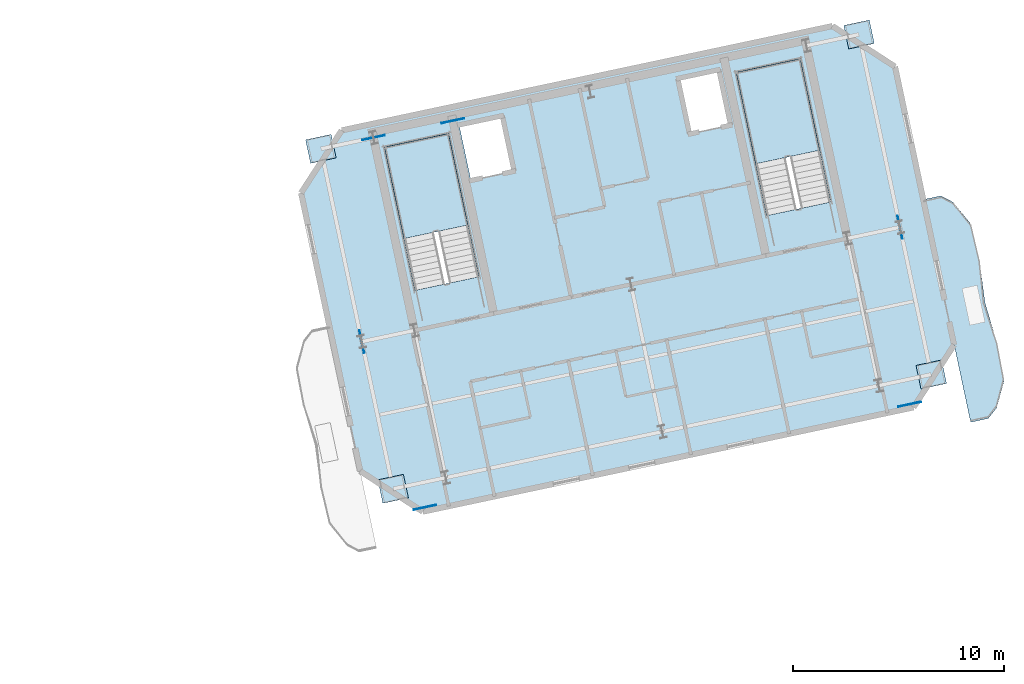
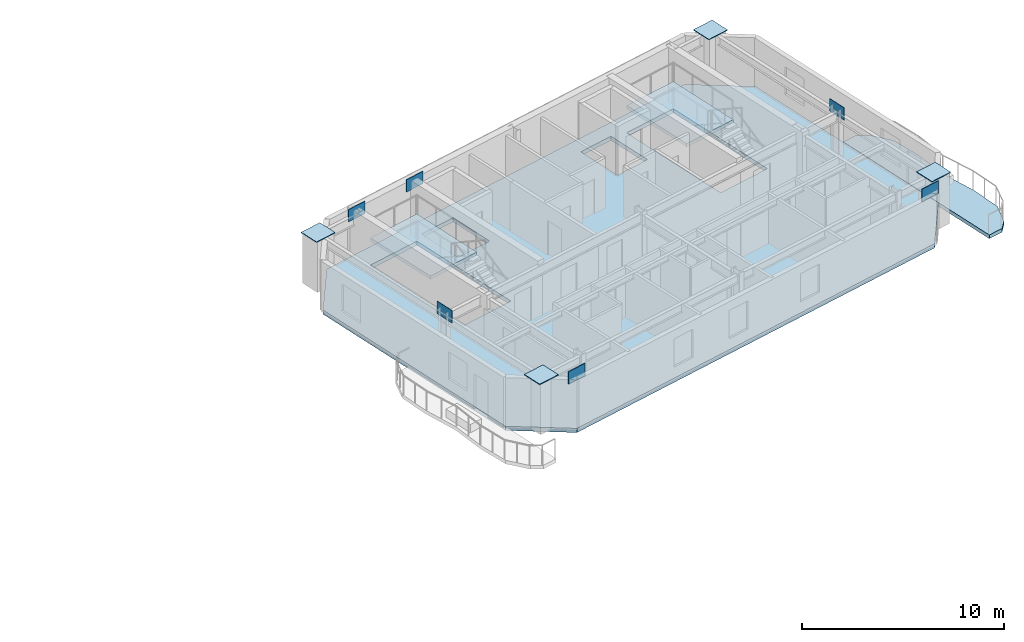
# One storey, part 5 of 14: 10 plates, 4 slabs, 2 elements without a shape of their own.
"""IFC4 building model written with IfcOpenShell, lengths in metres."""

from ifc_helpers import new_model, si_unit, direction, frame, origin, origin_2d, place, context, subcontext, project, spatial, polyline, rectangle, outline, extrude, material, layer, layer_set, type_object, element, aggregate, save


model = new_model("IFC4")

# Units and contexts
model_context = context("Model", 3, precision=1e-05, world=origin(), true_north=direction((0.0, 1.0)))
body_context = subcontext(model_context, "Body", "Model", "MODEL_VIEW")
ifc_project = project(units=[si_unit("LENGTHUNIT", "METRE"), si_unit("AREAUNIT", "SQUARE_METRE"), si_unit("VOLUMEUNIT", "CUBIC_METRE"), si_unit("PLANEANGLEUNIT", "RADIAN"), si_unit("MASSUNIT", "GRAM", prefix="KILO")], contexts=[model_context])

# Site, building, storey
site_placement = place(None, origin())
site = spatial("IfcSite", under=ifc_project, at=site_placement, CompositionType="ELEMENT")
building_placement = place(site_placement, origin())
building = spatial("IfcBuilding", under=site, at=building_placement, Name="Haevon Station Towers", CompositionType="ELEMENT")
storey_placement = place(building_placement, frame((0.0, 0.0, 231.89990234375)))
storey = spatial("IfcBuildingStorey", under=building, at=storey_placement, Name="L64", CompositionType="ELEMENT", Elevation=231.89990234375)

# Plates
ifc_material_1 = material(Name="PL-FLG1", Category="steel")
ifc_layer_1 = layer(ifc_material_1, 0.044921875)
ifc_layer_set_1 = layer_set([ifc_layer_1], Name="PL-FLG1")
plate_type_1 = type_object("IfcPlateType", Name="PL-FLG1", PredefinedType="USERDEFINED", material=ifc_layer_set_1)
for number, where, z_axis, x_axis, name in (
    (1, (97.74267578125, 29.92822265625, 3.050048828125), (0.0, 0.0, 1.0), (0.978147600734, 0.207911690818, 0.0), "PL-CAP-T2-L64-01-01"),
    (2, (94.314208984375, 46.057861328125, 3.050048828125), (0.0, 0.0, 1.0), (0.978147600734, 0.207911690818, 0.0), "PL-CAP-T2-L64-01-03"),
    (3, (123.272216796875, 35.354736328125, 3.050048828125), (0.0, 0.0, 1.0), (0.978147600734, 0.207911690818, 0.0), "PL-CAP-T2-L64-05-01"),
    (4, (119.84375, 51.484375, 3.050048828125), (0.0, 0.0, 1.0), (0.978147600734, 0.207911690818, 0.0), "PL-CAP-T2-L64-05-03"),
):
    element("IfcPlate", number, at=place(storey_placement, frame(where, z_axis=z_axis, x_axis=x_axis)), inside=storey, type_object=plate_type_1, Name=name, ObjectType="FLANGE_PLATE", PredefinedType="USERDEFINED", context=body_context, shape_type="SweptSolid", body=[
        extrude(rectangle(XDim=1.239990234375, YDim=1.139892578125, at=origin_2d()), origin(), (0.0, 0.0, 1.0), 0.0400390625),
    ])
ifc_material_2 = material(Name="PL-SPL1", Category="steel")
ifc_layer_2 = layer(ifc_material_2, 0.031982421875)
ifc_layer_set_2 = layer_set([ifc_layer_2], Name="PL-SPL1")
plate_type_2 = type_object("IfcPlateType", Name="PL-SPL1", PredefinedType="USERDEFINED", material=ifc_layer_set_2)
for number, where, z_axis, x_axis, name in (
    (5, (99.25732421875, 29.05419921875, 2.775146484375), (0.0, 0.0, 1.0), (0.978147600734, 0.207911690818, 0.0), "PL-T2SPL-T09-S-3"),
    (6, (122.243896484375, 33.93994140625, 2.775146484375), (0.0, 0.0, 1.0), (0.978147600734, 0.207911690818, 0.0), "PL-T2SPL-T09-S-4"),
    (7, (96.808349609375, 46.588134765625, 2.775146484375), (0.0, 0.0, 1.0), (0.978147600734, 0.207911690818, 0.0), "PL-T2SPL-T09-N-3"),
    (8, (100.57421875, 47.388671875, 2.775146484375), (0.0, 0.0, 1.0), (0.978147600734, 0.207911690818, 0.0), "PL-T2SPL-T09-N-4"),
    (9, (96.258056640625, 36.912353515625, 2.775146484375), (0.0, 0.0, 1.0), (-0.207911690818, 0.978147600734, 0.0), "PL-T2SPL-T09-W-4"),
    (10, (121.787841796875, 42.338623046875, 2.775146484375), (0.0, 0.0, 1.0), (-0.207911690818, 0.978147600734, 0.0), "PL-T2SPL-T09-E-4"),
):
    element("IfcPlate", number, at=place(storey_placement, frame(where, z_axis=z_axis, x_axis=x_axis)), inside=storey, type_object=plate_type_2, Name=name, ObjectType="SPLICE_PLATE", PredefinedType="USERDEFINED", context=body_context, shape_type="SweptSolid", body=[
        extrude(rectangle(XDim=1.10009765625, YDim=0.031982421875, at=origin_2d()), origin(), (0.0, 0.0, 1.0), 0.75),
    ])

# Slab
ifc_material_3 = material(Name="Concrete C40/50", Category="concrete")
ifc_layer_3 = layer(ifc_material_3, 0.219970703125)
ifc_layer_set_3 = layer_set([ifc_layer_3], Name="Concrete C40/50")
slab_type_1 = type_object("IfcSlabType", Name="SL-BALC220", PredefinedType="FLOOR", material=ifc_layer_set_3)
slab_1_placement = place(storey_placement, frame((0.0, 0.0, -0.219970703125)))
element("IfcSlab", 11, at=slab_1_placement, inside=storey, type_object=slab_type_1, Name="Tower 2 L64 East SCALLOPED BALCONY", PredefinedType="FLOOR", context=body_context, shape_type="SweptSolid", body=[
    extrude(outline(polyline([(125.13916015625, 33.08837890625), (125.970703125, 33.26513671875), (126.372314453125, 33.770751953125), (126.7216796875, 35.041748046875), (126.40966796875, 36.766357421875), (125.822509765625, 38.754150390625), (125.55029296875, 40.80908203125), (125.1337890625, 42.511474609375), (124.2978515625, 43.530517578125), (123.72509765625, 43.8291015625), (122.893798828125, 43.65234375), (125.13916015625, 33.08837890625)])), origin(), (0.0, 0.0, 1.0), 0.219970703125),
])

# Stair, slab
stair_type = type_object("IfcStairType", Name="STR-DL1450", PredefinedType="USERDEFINED", material=ifc_material_3)
stair_1_placement = place(storey_placement, origin())
stair_1 = element("IfcStair", 12, at=stair_1_placement, inside=storey, type_object=stair_type, Name="L64 Escape Stair ST3", ObjectType="TWO_RETURN_STAIR", PredefinedType="USERDEFINED")
ifc_layer_4 = layer(ifc_material_3, 0.199951171875)
ifc_layer_set_4 = layer_set([ifc_layer_4], Name="Concrete C40/50")
slab_type_2 = type_object("IfcSlabType", Name="SL-LND200", PredefinedType="LANDING", material=ifc_layer_set_4)
slab_2_placement = place(storey_placement, frame((0.0, 0.0, 1.4501953125)))
slab_2 = element("IfcSlab", 13, at=slab_2_placement, type_object=slab_type_2, Name="L64 ST3 Half Landing 1", PredefinedType="LANDING", context=body_context, shape_type="SweptSolid", body=[
    extrude(outline(polyline([(101.2880859375, 42.44287109375), (100.36572265625, 46.781982421875), (97.33349609375, 46.137451171875), (98.255859375, 41.79833984375), (101.2880859375, 42.44287109375)])), origin(), (0.0, 0.0, 1.0), 0.199951171875),
])
aggregate(stair_1, [slab_2])

stair_2_placement = place(storey_placement, origin())
stair_2 = element("IfcStair", 14, at=stair_2_placement, inside=storey, type_object=stair_type, Name="L64 Escape Stair ST4", ObjectType="TWO_RETURN_STAIR", PredefinedType="USERDEFINED")
slab_3_placement = place(storey_placement, frame((0.0, 0.0, 1.4501953125)))
slab_3 = element("IfcSlab", 15, at=slab_3_placement, type_object=slab_type_2, Name="L64 ST4 Half Landing 1", PredefinedType="LANDING", context=body_context, shape_type="SweptSolid", body=[
    extrude(outline(polyline([(117.975341796875, 45.989990234375), (117.052978515625, 50.328857421875), (114.020751953125, 49.684326171875), (114.943115234375, 45.345458984375), (117.975341796875, 45.989990234375)])), origin(), (0.0, 0.0, 1.0), 0.199951171875),
])
aggregate(stair_2, [slab_3])

# Slab
ifc_layer_5 = layer(ifc_material_3, 0.25)
ifc_layer_set_5 = layer_set([ifc_layer_5], Name="Concrete C40/50")
slab_type_3 = type_object("IfcSlabType", Name="SL-TW250", PredefinedType="FLOOR", material=ifc_layer_set_5)
slab_4_placement = place(storey_placement, frame((0.0, 0.0, -0.25)))
element("IfcSlab", 16, at=slab_4_placement, inside=storey, type_object=slab_type_3, Name="SL-T2-L64", PredefinedType="FLOOR", context=body_context, shape_type="SweptSolid", body=[
    extrude(outline(polyline([(99.148193359375, 28.846923828125), (122.427978515625, 33.795166015625), (124.353515625, 36.76025390625), (121.548828125, 49.95556640625), (118.583740234375, 51.881103515625), (95.3037109375, 46.932861328125), (93.378173828125, 43.9677734375), (96.182861328125, 30.7724609375), (99.148193359375, 28.846923828125)]), holes=[polyline([(101.8095703125, 39.98974609375), (100.36572265625, 46.781982421875), (97.33349609375, 46.137451171875), (98.77734375, 39.34521484375), (101.8095703125, 39.98974609375)]), polyline([(118.496826171875, 43.53662109375), (117.052978515625, 50.328857421875), (114.020751953125, 49.684326171875), (115.464599609375, 42.89208984375), (118.496826171875, 43.53662109375)]), polyline([(101.43212890625, 44.554931640625), (103.486328125, 44.99169921875), (102.9248046875, 47.632568359375), (100.870849609375, 47.196044921875), (101.43212890625, 44.554931640625)]), polyline([(111.800537109375, 46.7587890625), (113.7568359375, 47.174560546875), (113.1953125, 49.815673828125), (111.239013671875, 49.39990234375), (111.800537109375, 46.7587890625)])]), origin(), (0.0, 0.0, 1.0), 0.25),
])

save(model, "model.ifc")
